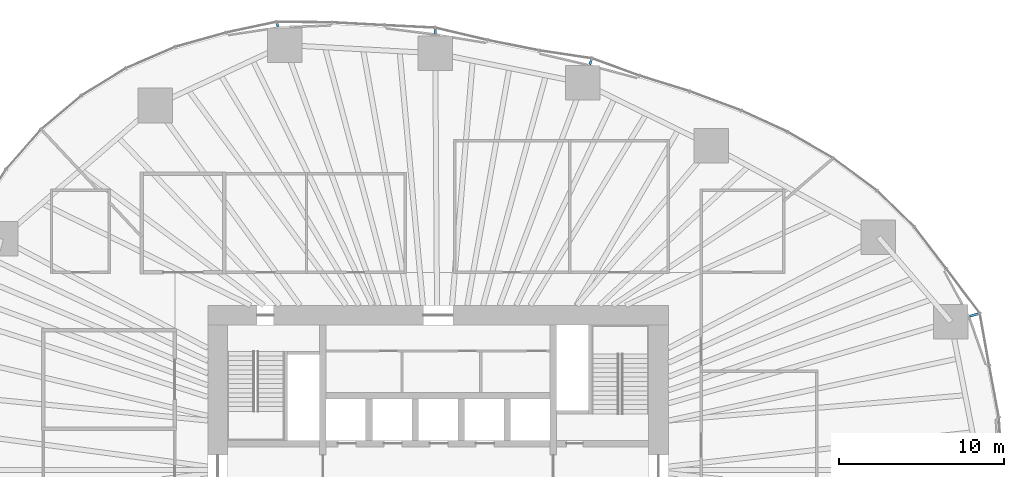
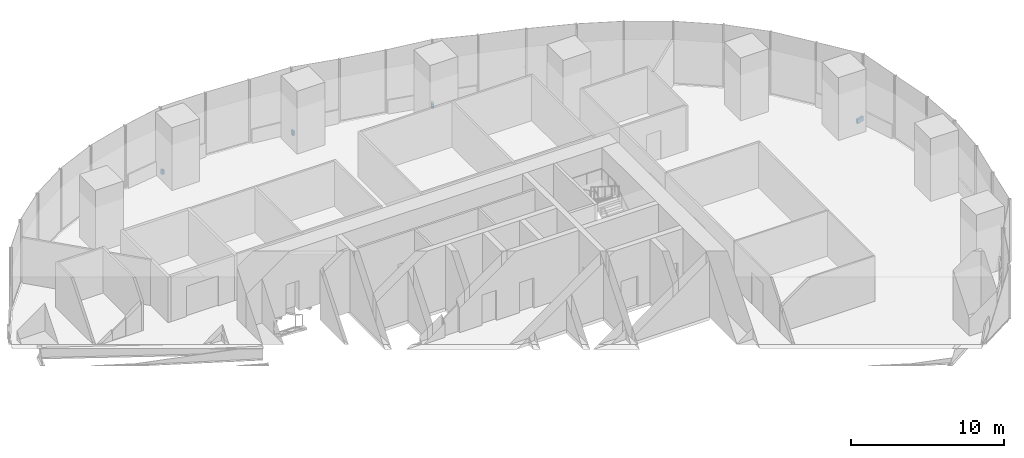
# One storey, part 15 of 20: 4 discrete accessories.
"""IFC4 building model written with IfcOpenShell, lengths in metres."""

from ifc_helpers import new_model, si_unit, direction, frame, origin, origin_2d, place, context, subcontext, project, spatial, rectangle, extrude, material, type_object, element, save


model = new_model("IFC4")

# Units and contexts
model_context = context("Model", 3, precision=1e-05, world=origin(), true_north=direction((0.0, 1.0)))
body_context = subcontext(model_context, "Body", "Model", "MODEL_VIEW")
ifc_project = project(units=[si_unit("LENGTHUNIT", "METRE"), si_unit("AREAUNIT", "SQUARE_METRE"), si_unit("VOLUMEUNIT", "CUBIC_METRE"), si_unit("PLANEANGLEUNIT", "RADIAN"), si_unit("MASSUNIT", "GRAM", prefix="KILO")], contexts=[model_context])

# Site, building, storey
site_placement = place(None, origin())
site = spatial("IfcSite", under=ifc_project, at=site_placement, CompositionType="ELEMENT")
building_placement = place(site_placement, origin())
building = spatial("IfcBuilding", under=site, at=building_placement, Name="Ghaith Harvest Tower", CompositionType="ELEMENT")
storey_placement = place(building_placement, frame((0.0, 0.0, 45.0)))
storey = spatial("IfcBuildingStorey", under=building, at=storey_placement, Name="L09", CompositionType="ELEMENT", Elevation=45.0)

# Discrete accessories
ifc_material_1 = material(Name="Stainless steel grade 1.4401", Category="steel")
discrete_accessory_type_1 = type_object("IfcDiscreteAccessoryType", Name="CURTAIN WALL BRACKET 205", PredefinedType="BRACKET", material=ifc_material_1)
discrete_accessory_1_placement = place(storey_placement, frame((-9.766845703125, 27.04150390625, -0.25), z_axis=(0.0, 0.0, 1.0), x_axis=(-0.339699453402, 0.94053404051, 0.0)))
element("IfcDiscreteAccessory", 1, at=discrete_accessory_1_placement, inside=storey, type_object=discrete_accessory_type_1, Name="CW-F bracket 1 bay 07 L09", PredefinedType="BRACKET", context=body_context, shape_type="SweptSolid", body=[
    extrude(rectangle(XDim=0.205078125, YDim=0.14990234375, at=origin_2d()), origin(), (0.0, 0.0, 1.0), 0.35009765625),
])
ifc_material_2 = material(Name="Stainless steel grade 1.4401", Category="steel")
discrete_accessory_type_2 = type_object("IfcDiscreteAccessoryType", Name="CURTAIN WALL BRACKET 255", PredefinedType="BRACKET", material=ifc_material_2)
discrete_accessory_2_placement = place(storey_placement, frame((-0.182373046875, 26.649658203125, -0.25), z_axis=(0.0, 0.0, 1.0), x_axis=(-0.006843747783, 0.999976581284, 0.0)))
element("IfcDiscreteAccessory", 2, at=discrete_accessory_2_placement, inside=storey, type_object=discrete_accessory_type_2, Name="CW-F bracket 1 bay 06 L09", PredefinedType="BRACKET", context=body_context, shape_type="SweptSolid", body=[
    extrude(rectangle(XDim=0.2548828125, YDim=0.14990234375, at=origin_2d()), origin(), (0.0, 0.0, 1.0), 0.35009765625),
])
ifc_material_3 = material(Name="Stainless steel grade 1.4401", Category="steel")
discrete_accessory_type_3 = type_object("IfcDiscreteAccessoryType", Name="CURTAIN WALL BRACKET 295", PredefinedType="BRACKET", material=ifc_material_3)
discrete_accessory_3_placement = place(storey_placement, frame((9.265380859375, 24.7841796875, -0.25), z_axis=(0.0, 0.0, 1.0), x_axis=(0.35016769709, 0.936687025593, 0.0)))
element("IfcDiscreteAccessory", 3, at=discrete_accessory_3_placement, inside=storey, type_object=discrete_accessory_type_3, Name="CW-F bracket 1 bay 05 L09", PredefinedType="BRACKET", context=body_context, shape_type="SweptSolid", body=[
    extrude(rectangle(XDim=0.294921875, YDim=0.14990234375, at=origin_2d()), origin(), (0.0, 0.0, 1.0), 0.35009765625),
])
ifc_material_4 = material(Name="Stainless steel grade 1.4401", Category="steel")
discrete_accessory_type_4 = type_object("IfcDiscreteAccessoryType", Name="CURTAIN WALL BRACKET 535", PredefinedType="BRACKET", material=ifc_material_4)
discrete_accessory_4_placement = place(storey_placement, frame((32.570556640625, 9.41357421875, -0.25), z_axis=(0.0, 0.0, 1.0), x_axis=(0.960680349985, 0.277656739792, 0.0)))
element("IfcDiscreteAccessory", 4, at=discrete_accessory_4_placement, inside=storey, type_object=discrete_accessory_type_4, Name="CW-F bracket 1 bay 02 L09", PredefinedType="BRACKET", context=body_context, shape_type="SweptSolid", body=[
    extrude(rectangle(XDim=0.534912109375, YDim=0.14990234375, at=origin_2d()), origin(), (0.0, 0.0, 1.0), 0.35009765625),
])

save(model, "model.ifc")
